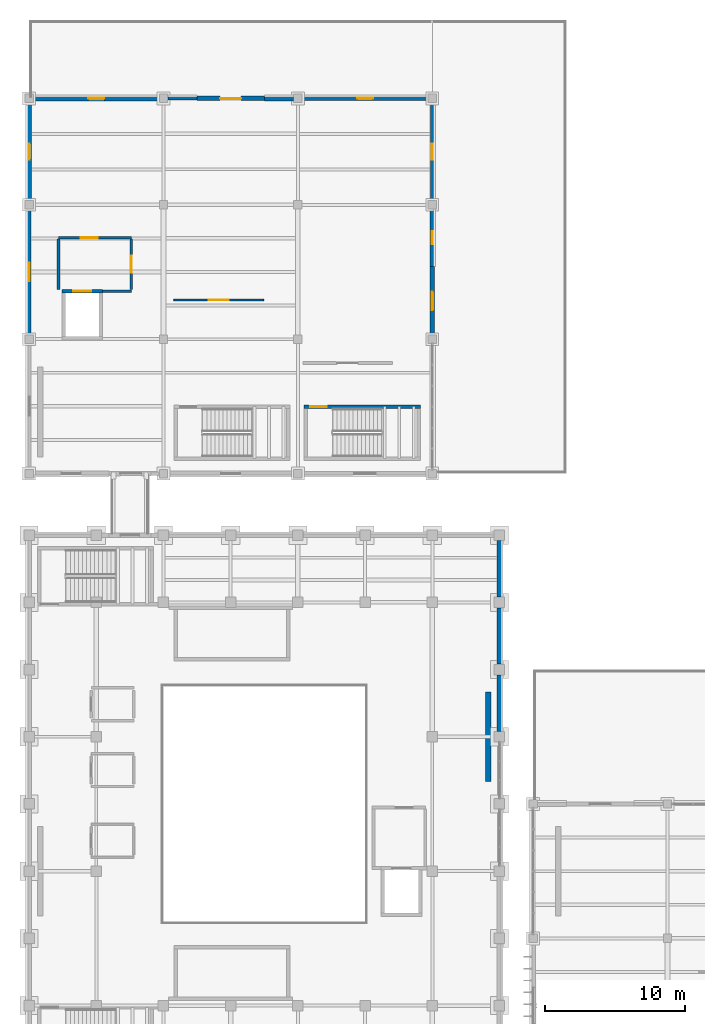
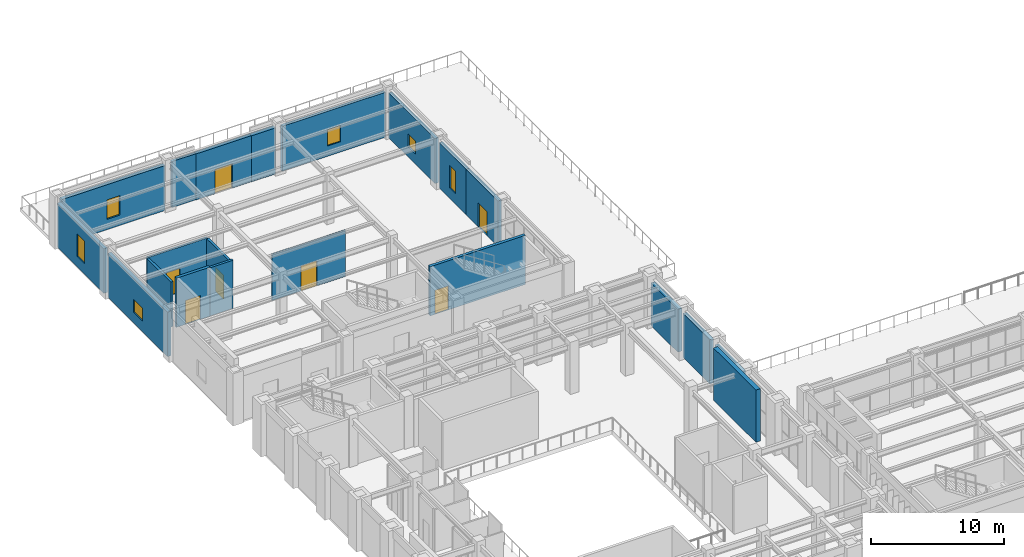
# One storey, part 61 of 83: 21 walls, 7 doors, 6 windows, 13 openings.
"""IFC4 building model written with IfcOpenShell, lengths in metres."""

from ifc_helpers import new_model, si_unit, direction, frame, frame_2d, origin, place, context, subcontext, project, spatial, rectangle, extrude, material, layer, layer_set, type_object, element, fill, save


model = new_model("IFC4")

# Units and contexts
model_context = context("Model", 3, precision=1e-05, world=origin(), true_north=direction((0.0, 1.0)))
body_context = subcontext(model_context, "Body", "Model", "MODEL_VIEW")
ifc_project = project(units=[si_unit("LENGTHUNIT", "METRE"), si_unit("AREAUNIT", "SQUARE_METRE"), si_unit("VOLUMEUNIT", "CUBIC_METRE"), si_unit("PLANEANGLEUNIT", "RADIAN"), si_unit("MASSUNIT", "GRAM", prefix="KILO")], contexts=[model_context])

# Site, building, storey
site_placement = place(None, origin())
site = spatial("IfcSite", under=ifc_project, at=site_placement, CompositionType="ELEMENT")
building_placement = place(site_placement, origin())
building = spatial("IfcBuilding", under=site, at=building_placement, Name="Mavantir Sound Aquarium", CompositionType="ELEMENT")
storey_placement = place(building_placement, frame((0.0, 0.0, 10.5)))
storey = spatial("IfcBuildingStorey", under=building, at=storey_placement, Name="L02", CompositionType="ELEMENT", Elevation=10.5)

# Wall, opening, door
ifc_material_1 = material(Name="Coral-Buff Architectural Precast Concrete C40/50", Category="concrete")
ifc_layer_1 = layer(ifc_material_1, 0.31005859375, Name="Coral-Buff Architectural Precast Concrete C40/50")
ifc_layer_set_1 = layer_set([ifc_layer_1], Name="Coral-Buff Architectural Precast Concrete C40/50")
wall_type_1 = type_object("IfcWallType", Name="EW-CORAL-310", PredefinedType="SOLIDWALL", material=ifc_layer_set_1)
wall_1_placement = place(storey_placement, frame((28.800048828125, 93.60009765625, 0.0), z_axis=(0.0, 0.0, 1.0), x_axis=(0.0, 1.0, 0.0)))
wall_1 = element("IfcWall", 1, at=wall_1_placement, inside=storey, type_object=wall_type_1, Name="L02 terrace portal wall 15", PredefinedType="SOLIDWALL", context=body_context, shape_type="SweptSolid", body=[
    extrude(rectangle(XDim=4.7998046875, YDim=0.31005859375, at=frame_2d((2.39990234375, 0.0))), origin(), (0.0, 0.0, 1.0), 4.177978515625),
])
opening_1_placement = place(wall_1_placement, frame((3.0, 0.0, 0.0), z_axis=(0.0, 0.0, 1.0), x_axis=(-1.0, 0.0, 0.0)))
opening_1 = element("IfcOpeningElement", 2, at=opening_1_placement, cuts=wall_1, Name="Opening ETD-02", PredefinedType="OPENING", context=body_context, shape_type="SweptSolid", body=[
    extrude(rectangle(XDim=1.35009765625, YDim=2.199951171875, at=frame_2d((0.675048828125, 1.10009765625))), frame((0.0, 0.1650390625, 0.0), z_axis=(0.0, -1.0, 0.0), x_axis=(1.0, 0.0, 0.0)), (0.0, 0.0, 1.0), 0.330078125),
])
ifc_material_2 = material(Name="Marine-Grade Anodised Aluminium and Laminated Glass", Category="aluminium")
door_type_1 = type_object("IfcDoorType", Name="DR-TER-135", OperationType="NOTDEFINED", PredefinedType="DOOR", material=ifc_material_2)
door_1_placement = place(opening_1_placement, origin())
door_1 = element("IfcDoor", 3, at=door_1_placement, inside=storey, type_object=door_type_1, Name="L02 terrace access door 15", OperationType="SINGLE_SWING_RIGHT", OverallHeight=2.199951171875, OverallWidth=1.35009765625, PredefinedType="DOOR", context=body_context, shape_type="SweptSolid", body=[
    extrude(rectangle(XDim=1.35009765625, YDim=2.199951171875, at=frame_2d((0.675048828125, 1.10009765625))), frame((0.0, 0.02490234375, 0.0), z_axis=(0.0, -1.0, 0.0), x_axis=(1.0, 0.0, 0.0)), (0.0, 0.0, 1.0), 0.050048828125),
])
fill(opening_1, door_1)

wall_2_placement = place(storey_placement, frame((16.800048828125, 110.39990234375, 0.0), z_axis=(0.0, 0.0, 1.0), x_axis=(-1.0, 0.0, 0.0)))
wall_2 = element("IfcWall", 4, at=wall_2_placement, inside=storey, type_object=wall_type_1, Name="L02 terrace portal wall 16", PredefinedType="SOLIDWALL", context=body_context, shape_type="SweptSolid", body=[
    extrude(rectangle(XDim=4.800048828125, YDim=0.31005859375, at=frame_2d((2.39990234375, 0.0))), origin(), (0.0, 0.0, 1.0), 4.242919921875),
])
opening_2_placement = place(wall_2_placement, frame((3.14990234375, 0.0, 0.0), z_axis=(0.0, 0.0, 1.0), x_axis=(-1.0, 0.0, 0.0)))
opening_2 = element("IfcOpeningElement", 5, at=opening_2_placement, cuts=wall_2, Name="Opening ETD-01", PredefinedType="OPENING", context=body_context, shape_type="SweptSolid", body=[
    extrude(rectangle(XDim=1.5, YDim=2.25, at=frame_2d((0.75, 1.125))), frame((0.0, 0.1650390625, 0.0), z_axis=(0.0, -1.0, 0.0), x_axis=(1.0, 0.0, 0.0)), (0.0, 0.0, 1.0), 0.330078125),
])
door_type_2 = type_object("IfcDoorType", Name="DR-TER-150", OperationType="NOTDEFINED", PredefinedType="DOOR", material=ifc_material_2)
door_2_placement = place(opening_2_placement, origin())
door_2 = element("IfcDoor", 6, at=door_2_placement, inside=storey, type_object=door_type_2, Name="L02 terrace access door 16", OperationType="SINGLE_SWING_LEFT", OverallHeight=2.25, OverallWidth=1.5, PredefinedType="DOOR", context=body_context, shape_type="SweptSolid", body=[
    extrude(rectangle(XDim=1.5, YDim=2.25, at=frame_2d((0.75, 1.125))), frame((0.0, 0.02490234375, 0.0), z_axis=(0.0, -1.0, 0.0), x_axis=(1.0, 0.0, 0.0)), (0.0, 0.0, 1.0), 0.050048828125),
])
fill(opening_2, door_2)

# Wall, opening, window
wall_3_placement = place(storey_placement, frame((28.800048828125, 98.405029296875, 0.0), z_axis=(0.0, 0.0, 1.0), x_axis=(0.0, 1.0, 0.0)))
wall_3 = element("IfcWall", 7, at=wall_3_placement, inside=storey, type_object=wall_type_1, Name="L02 exterior facade wall EW-02 278", PredefinedType="SOLIDWALL", context=body_context, shape_type="SweptSolid", body=[
    extrude(rectangle(XDim=4.0869140625, YDim=0.31005859375, at=frame_2d((2.04345703125, 0.0))), origin(), (0.0, 0.0, 1.0), 4.177978515625),
])
opening_3_placement = place(wall_3_placement, frame((1.593505859375, 0.0, 0.949951171875)))
opening_3 = element("IfcOpeningElement", 8, at=opening_3_placement, cuts=wall_3, Name="Opening W-04", PredefinedType="OPENING", context=body_context, shape_type="SweptSolid", body=[
    extrude(rectangle(XDim=0.89990234375, YDim=2.10009765625, at=frame_2d((0.449951171875, 1.050048828125))), frame((0.0, 0.1650390625, 0.0), z_axis=(0.0, -1.0, 0.0), x_axis=(1.0, 0.0, 0.0)), (0.0, 0.0, 1.0), 0.330078125),
])
ifc_material_3 = material(Name="Thermally Broken Aluminium and Low-E Glass", Category="aluminium")
window_type_1 = type_object("IfcWindowType", Name="WIN-EXT-04", PartitioningType="SINGLE_PANEL", PredefinedType="WINDOW", material=ifc_material_3)
window_1_placement = place(opening_3_placement, origin())
window_1 = element("IfcWindow", 9, at=window_1_placement, inside=storey, type_object=window_type_1, Name="L02 facade window W-04 100", OverallHeight=2.10009765625, OverallWidth=0.89990234375, PartitioningType="SINGLE_PANEL", PredefinedType="WINDOW", context=body_context, shape_type="SweptSolid", body=[
    extrude(rectangle(XDim=0.89990234375, YDim=2.10009765625, at=frame_2d((0.449951171875, 1.050048828125))), frame((0.0, 0.030029296875, 0.0), z_axis=(0.0, -1.0, 0.0), x_axis=(1.0, 0.0, 0.0)), (0.0, 0.0, 1.0), 0.06005859375),
])
fill(opening_3, window_1)

wall_4_placement = place(storey_placement, frame((0.0, 110.092041015625, 0.0), z_axis=(0.0, 0.0, 1.0), x_axis=(0.0, -1.0, 0.0)))
wall_4 = element("IfcWall", 10, at=wall_4_placement, inside=storey, type_object=wall_type_1, Name="L02 exterior facade wall EW-02 284", PredefinedType="SOLIDWALL", context=body_context, shape_type="SweptSolid", body=[
    extrude(rectangle(XDim=6.984130859375, YDim=0.31005859375, at=frame_2d((3.4921875, 0.0))), origin(), (0.0, 0.0, 1.0), 4.0830078125),
])
opening_4_placement = place(wall_4_placement, frame((2.9169921875, 0.0, 0.949951171875)))
opening_4 = element("IfcOpeningElement", 11, at=opening_4_placement, cuts=wall_4, Name="Opening W-08", PredefinedType="OPENING", context=body_context, shape_type="SweptSolid", body=[
    extrude(rectangle(XDim=1.14990234375, YDim=2.10009765625, at=frame_2d((0.574951171875, 1.050048828125))), frame((0.0, 0.1650390625, 0.0), z_axis=(0.0, -1.0, 0.0), x_axis=(1.0, 0.0, 0.0)), (0.0, 0.0, 1.0), 0.330078125),
])
window_type_2 = type_object("IfcWindowType", Name="WIN-EXT-08", PartitioningType="SINGLE_PANEL", PredefinedType="WINDOW", material=ifc_material_3)
window_2_placement = place(opening_4_placement, origin())
window_2 = element("IfcWindow", 12, at=window_2_placement, inside=storey, type_object=window_type_2, Name="L02 facade window W-08 104", OverallHeight=2.10009765625, OverallWidth=1.14990234375, PartitioningType="SINGLE_PANEL", PredefinedType="WINDOW", context=body_context, shape_type="SweptSolid", body=[
    extrude(rectangle(XDim=1.14990234375, YDim=2.10009765625, at=frame_2d((0.574951171875, 1.050048828125))), frame((0.0, 0.030029296875, 0.0), z_axis=(0.0, -1.0, 0.0), x_axis=(1.0, 0.0, 0.0)), (0.0, 0.0, 1.0), 0.06005859375),
])
fill(opening_4, window_2)

# Walls
ifc_layer_2 = layer(ifc_material_1, 0.340087890625, Name="Coral-Buff Architectural Precast Concrete C40/50")
ifc_layer_set_2 = layer_set([ifc_layer_2], Name="Coral-Buff Architectural Precast Concrete C40/50")
wall_type_2 = type_object("IfcWallType", Name="EW-CORAL-340", PredefinedType="SOLIDWALL", material=ifc_layer_set_2)
wall_5_placement = place(storey_placement, frame((33.60009765625, 65.18310546875, 0.0), z_axis=(0.0, 0.0, 1.0), x_axis=(0.0, 1.0, 0.0)))
element("IfcWall", 13, at=wall_5_placement, inside=storey, type_object=wall_type_2, Name="L02 exterior facade wall EW-01 206", PredefinedType="SOLIDWALL", context=body_context, shape_type="SweptSolid", body=[
    extrude(rectangle(XDim=4.033935546875, YDim=0.340087890625, at=frame_2d((2.01708984375, 0.0))), origin(), (0.0, 0.0, 1.0), 4.05810546875),
])
wall_6_placement = place(storey_placement, frame((33.60009765625, 69.98291015625, 0.0), z_axis=(0.0, 0.0, 1.0), x_axis=(0.0, 1.0, 0.0)))
element("IfcWall", 14, at=wall_6_placement, inside=storey, type_object=wall_type_2, Name="L02 exterior facade wall EW-01 207", PredefinedType="SOLIDWALL", context=body_context, shape_type="SweptSolid", body=[
    extrude(rectangle(XDim=4.0341796875, YDim=0.340087890625, at=frame_2d((2.01708984375, 0.0))), origin(), (0.0, 0.0, 1.0), 4.05810546875),
])
wall_7_placement = place(storey_placement, frame((33.60009765625, 74.782958984375, 0.0), z_axis=(0.0, 0.0, 1.0), x_axis=(0.0, 1.0, 0.0)))
element("IfcWall", 15, at=wall_7_placement, inside=storey, type_object=wall_type_2, Name="L02 exterior facade wall EW-01 208", PredefinedType="SOLIDWALL", context=body_context, shape_type="SweptSolid", body=[
    extrude(rectangle(XDim=4.033935546875, YDim=0.340087890625, at=frame_2d((2.01708984375, 0.0))), origin(), (0.0, 0.0, 1.0), 3.948974609375),
])

# Wall, opening, window
wall_8_placement = place(storey_placement, frame((9.2919921875, 110.39990234375, 0.0), z_axis=(0.0, 0.0, 1.0), x_axis=(-1.0, 0.0, 0.0)))
wall_8 = element("IfcWall", 16, at=wall_8_placement, inside=storey, type_object=wall_type_2, Name="L02 exterior facade wall EW-01 283", PredefinedType="SOLIDWALL", context=body_context, shape_type="SweptSolid", body=[
    extrude(rectangle(XDim=8.98388671875, YDim=0.340087890625, at=frame_2d((4.491943359375, 0.0))), origin(), (0.0, 0.0, 1.0), 4.137939453125),
])
opening_5_placement = place(wall_8_placement, frame((3.9169921875, 0.0, 0.949951171875)))
opening_5 = element("IfcOpeningElement", 17, at=opening_5_placement, cuts=wall_8, Name="Opening W-07", PredefinedType="OPENING", context=body_context, shape_type="SweptSolid", body=[
    extrude(rectangle(XDim=1.14990234375, YDim=1.800048828125, at=frame_2d((0.574951171875, 0.89990234375))), frame((0.0, 0.18017578125, 0.0), z_axis=(0.0, -1.0, 0.0), x_axis=(1.0, 0.0, 0.0)), (0.0, 0.0, 1.0), 0.360107421875),
])
window_type_3 = type_object("IfcWindowType", Name="WIN-EXT-07", PartitioningType="SINGLE_PANEL", PredefinedType="WINDOW", material=ifc_material_3)
window_3_placement = place(opening_5_placement, origin())
window_3 = element("IfcWindow", 18, at=window_3_placement, inside=storey, type_object=window_type_3, Name="L02 facade window W-07 103", OverallHeight=1.800048828125, OverallWidth=1.14990234375, PartitioningType="SINGLE_PANEL", PredefinedType="WINDOW", context=body_context, shape_type="SweptSolid", body=[
    extrude(rectangle(XDim=1.14990234375, YDim=1.800048828125, at=frame_2d((0.574951171875, 0.89990234375))), frame((0.0, 0.030029296875, 0.0), z_axis=(0.0, -1.0, 0.0), x_axis=(1.0, 0.0, 0.0)), (0.0, 0.0, 1.0), 0.06005859375),
])
fill(opening_5, window_3)

# Walls
ifc_material_4 = material(Name="Architectural Precast Concrete C40/50", Category="concrete")
ifc_layer_3 = layer(ifc_material_4, 0.239990234375, Name="Architectural Precast Concrete C40/50")
ifc_layer_set_3 = layer_set([ifc_layer_3], Name="Architectural Precast Concrete C40/50")
wall_type_3 = type_object("IfcWallType", Name="EW-PRE-240", PredefinedType="SOLIDWALL", material=ifc_layer_set_3)
wall_9_placement = place(storey_placement, frame((11.9951171875, 110.39990234375, 0.0), z_axis=(0.0, 0.0, 1.0), x_axis=(-1.0, 0.0, 0.0)))
element("IfcWall", 19, at=wall_9_placement, inside=storey, type_object=wall_type_3, Name="L02 exterior facade wall EW-06 282", PredefinedType="SOLIDWALL", context=body_context, shape_type="SweptSolid", body=[
    extrude(rectangle(XDim=2.087158203125, YDim=0.239990234375, at=frame_2d((1.04345703125, 0.0))), origin(), (0.0, 0.0, 1.0), 4.242919921875),
])
ifc_layer_4 = layer(ifc_material_1, 0.360107421875, Name="Coral-Buff Architectural Precast Concrete C40/50")
ifc_layer_set_4 = layer_set([ifc_layer_4], Name="Coral-Buff Architectural Precast Concrete C40/50")
wall_type_4 = type_object("IfcWallType", Name="EW-PRE-360", PredefinedType="SOLIDWALL", material=ifc_layer_set_4)
wall_10_placement = place(storey_placement, frame((18.89208984375, 110.39990234375, 0.0), z_axis=(0.0, 0.0, 1.0), x_axis=(-1.0, 0.0, 0.0)))
element("IfcWall", 20, at=wall_10_placement, inside=storey, type_object=wall_type_4, Name="L02 exterior facade wall EW-05 281", PredefinedType="SOLIDWALL", context=body_context, shape_type="SweptSolid", body=[
    extrude(rectangle(XDim=2.087158203125, YDim=0.360107421875, at=frame_2d((1.04345703125, 0.0))), origin(), (0.0, 0.0, 1.0), 4.242919921875),
])

# Wall, opening, window
ifc_material_5 = material(Name="Cerulean Glazed Terracotta Rainscreen on Concrete C40/50", Category="masonry")
ifc_layer_5 = layer(ifc_material_5, 0.27001953125, Name="Cerulean Glazed Terracotta Rainscreen on Concrete C40/50")
ifc_layer_set_5 = layer_set([ifc_layer_5], Name="Cerulean Glazed Terracotta Rainscreen on Concrete C40/50")
wall_type_5 = type_object("IfcWallType", Name="EW-TERRA-270", PredefinedType="SOLIDWALL", material=ifc_layer_set_5)
wall_11_placement = place(storey_placement, frame((28.491943359375, 110.39990234375, 0.0), z_axis=(0.0, 0.0, 1.0), x_axis=(-1.0, 0.0, 0.0)))
wall_11 = element("IfcWall", 21, at=wall_11_placement, inside=storey, type_object=wall_type_5, Name="L02 exterior facade wall EW-04 280", PredefinedType="SOLIDWALL", context=body_context, shape_type="SweptSolid", body=[
    extrude(rectangle(XDim=8.98388671875, YDim=0.27001953125, at=frame_2d((4.491943359375, 0.0))), origin(), (0.0, 0.0, 1.0), 4.137939453125),
])
opening_6_placement = place(wall_11_placement, frame((3.9169921875, 0.0, 0.949951171875)))
opening_6 = element("IfcOpeningElement", 22, at=opening_6_placement, cuts=wall_11, Name="Opening W-06", PredefinedType="OPENING", context=body_context, shape_type="SweptSolid", body=[
    extrude(rectangle(XDim=1.14990234375, YDim=1.5, at=frame_2d((0.574951171875, 0.75))), frame((0.0, 0.14501953125, 0.0), z_axis=(0.0, -1.0, 0.0), x_axis=(1.0, 0.0, 0.0)), (0.0, 0.0, 1.0), 0.2900390625),
])
window_type_4 = type_object("IfcWindowType", Name="WIN-EXT-06", PartitioningType="SINGLE_PANEL", PredefinedType="WINDOW", material=ifc_material_3)
window_4_placement = place(opening_6_placement, origin())
window_4 = element("IfcWindow", 23, at=window_4_placement, inside=storey, type_object=window_type_4, Name="L02 facade window W-06 102", OverallHeight=1.5, OverallWidth=1.14990234375, PartitioningType="SINGLE_PANEL", PredefinedType="WINDOW", context=body_context, shape_type="SweptSolid", body=[
    extrude(rectangle(XDim=1.14990234375, YDim=1.5, at=frame_2d((0.574951171875, 0.75))), frame((0.0, 0.030029296875, 0.0), z_axis=(0.0, -1.0, 0.0), x_axis=(1.0, 0.0, 0.0)), (0.0, 0.0, 1.0), 0.06005859375),
])
fill(opening_6, window_4)

ifc_material_6 = material(Name="Turquoise Glazed Terracotta Rainscreen on Concrete C40/50", Category="masonry")
ifc_layer_6 = layer(ifc_material_6, 0.2900390625, Name="Turquoise Glazed Terracotta Rainscreen on Concrete C40/50")
ifc_layer_set_6 = layer_set([ifc_layer_6], Name="Turquoise Glazed Terracotta Rainscreen on Concrete C40/50")
wall_type_6 = type_object("IfcWallType", Name="EW-TERRA-290", PredefinedType="SOLIDWALL", material=ifc_layer_set_6)
wall_12_placement = place(storey_placement, frame((28.800048828125, 103.10791015625, 0.0), z_axis=(0.0, 0.0, 1.0), x_axis=(0.0, 1.0, 0.0)))
wall_12 = element("IfcWall", 24, at=wall_12_placement, inside=storey, type_object=wall_type_6, Name="L02 exterior facade wall EW-03 279", PredefinedType="SOLIDWALL", context=body_context, shape_type="SweptSolid", body=[
    extrude(rectangle(XDim=6.984130859375, YDim=0.2900390625, at=frame_2d((3.4921875, 0.0))), origin(), (0.0, 0.0, 1.0), 4.135986328125),
])
opening_7_placement = place(wall_12_placement, frame((2.9169921875, 0.0, 0.949951171875)))
opening_7 = element("IfcOpeningElement", 25, at=opening_7_placement, cuts=wall_12, Name="Opening W-05", PredefinedType="OPENING", context=body_context, shape_type="SweptSolid", body=[
    extrude(rectangle(XDim=1.14990234375, YDim=1.199951171875, at=frame_2d((0.574951171875, 0.60009765625))), frame((0.0, 0.155029296875, 0.0), z_axis=(0.0, -1.0, 0.0), x_axis=(1.0, 0.0, 0.0)), (0.0, 0.0, 1.0), 0.31005859375),
])
window_type_5 = type_object("IfcWindowType", Name="WIN-EXT-05", PartitioningType="SINGLE_PANEL", PredefinedType="WINDOW", material=ifc_material_3)
window_5_placement = place(opening_7_placement, origin())
window_5 = element("IfcWindow", 26, at=window_5_placement, inside=storey, type_object=window_type_5, Name="L02 facade window W-05 101", OverallHeight=1.199951171875, OverallWidth=1.14990234375, PartitioningType="SINGLE_PANEL", PredefinedType="WINDOW", context=body_context, shape_type="SweptSolid", body=[
    extrude(rectangle(XDim=1.14990234375, YDim=1.199951171875, at=frame_2d((0.574951171875, 0.60009765625))), frame((0.0, 0.030029296875, 0.0), z_axis=(0.0, -1.0, 0.0), x_axis=(1.0, 0.0, 0.0)), (0.0, 0.0, 1.0), 0.06005859375),
])
fill(opening_7, window_5)

wall_13_placement = place(storey_placement, frame((0.0, 102.491943359375, 0.0), z_axis=(0.0, 0.0, 1.0), x_axis=(0.0, -1.0, 0.0)))
wall_13 = element("IfcWall", 27, at=wall_13_placement, inside=storey, type_object=wall_type_6, Name="L02 exterior facade wall EW-03 285", PredefinedType="SOLIDWALL", context=body_context, shape_type="SweptSolid", body=[
    extrude(rectangle(XDim=8.98388671875, YDim=0.2900390625, at=frame_2d((4.491943359375, 0.0))), origin(), (0.0, 0.0, 1.0), 4.0830078125),
])
opening_8_placement = place(wall_13_placement, frame((3.81689453125, 0.0, 0.949951171875)))
opening_8 = element("IfcOpeningElement", 28, at=opening_8_placement, cuts=wall_13, Name="Opening W-09", PredefinedType="OPENING", context=body_context, shape_type="SweptSolid", body=[
    extrude(rectangle(XDim=1.35009765625, YDim=1.199951171875, at=frame_2d((0.675048828125, 0.60009765625))), frame((0.0, 0.155029296875, 0.0), z_axis=(0.0, -1.0, 0.0), x_axis=(1.0, 0.0, 0.0)), (0.0, 0.0, 1.0), 0.31005859375),
])
window_type_6 = type_object("IfcWindowType", Name="WIN-EXT-09", PartitioningType="SINGLE_PANEL", PredefinedType="WINDOW", material=ifc_material_3)
window_6_placement = place(opening_8_placement, origin())
window_6 = element("IfcWindow", 29, at=window_6_placement, inside=storey, type_object=window_type_6, Name="L02 facade window W-09 105", OverallHeight=1.199951171875, OverallWidth=1.35009765625, PartitioningType="SINGLE_PANEL", PredefinedType="WINDOW", context=body_context, shape_type="SweptSolid", body=[
    extrude(rectangle(XDim=1.35009765625, YDim=1.199951171875, at=frame_2d((0.675048828125, 0.60009765625))), frame((0.0, 0.030029296875, 0.0), z_axis=(0.0, -1.0, 0.0), x_axis=(1.0, 0.0, 0.0)), (0.0, 0.0, 1.0), 0.06005859375),
])
fill(opening_8, window_6)

# Wall, opening, door
ifc_material_7 = material(Name="Concrete C40/50", Category="concrete")
ifc_layer_7 = layer(ifc_material_7, 0.199951171875, Name="Concrete C40/50")
ifc_layer_set_7 = layer_set([ifc_layer_7], Name="Concrete C40/50")
wall_type_7 = type_object("IfcWallType", Name="IW-FFL-200", PredefinedType="PARTITIONING", material=ifc_layer_set_7)
wall_14_placement = place(storey_placement, frame((2.10009765625, 100.449951171875, 0.0), z_axis=(0.0, 0.0, 1.0), x_axis=(1.0, 0.0, 0.0)))
wall_14 = element("IfcWall", 30, at=wall_14_placement, inside=storey, type_object=wall_type_7, Name="L02 firefighting lift lobby LC2 wall N", PredefinedType="PARTITIONING", context=body_context, shape_type="SweptSolid", body=[
    extrude(rectangle(XDim=5.199951171875, YDim=0.199951171875, at=frame_2d((2.60009765625, 0.0))), origin(), (0.0, 0.0, 1.0), 4.176025390625),
])
opening_9_placement = place(wall_14_placement, frame((1.60009765625, 0.0, 0.0)))
opening_9 = element("IfcOpeningElement", 31, at=opening_9_placement, cuts=wall_14, Name="Opening FD-01", PredefinedType="OPENING", context=body_context, shape_type="SweptSolid", body=[
    extrude(rectangle(XDim=1.199951171875, YDim=2.199951171875, at=frame_2d((0.60009765625, 1.10009765625))), frame((0.0, 0.10986328125, 0.0), z_axis=(0.0, -1.0, 0.0), x_axis=(1.0, 0.0, 0.0)), (0.0, 0.0, 1.0), 0.219970703125),
])
ifc_material_8 = material(Name="Fire-Rated Steel Lobby Door Leaf", Category="steel")
door_type_3 = type_object("IfcDoorType", Name="DR-FFL-120", OperationType="NOTDEFINED", PredefinedType="DOOR", material=ifc_material_8)
door_3_placement = place(opening_9_placement, origin())
door_3 = element("IfcDoor", 32, at=door_3_placement, inside=storey, type_object=door_type_3, Name="L02 firefighting lobby LC2 accommodation door", OperationType="SINGLE_SWING_LEFT", OverallHeight=2.199951171875, OverallWidth=1.199951171875, PredefinedType="DOOR", context=body_context, shape_type="SweptSolid", body=[
    extrude(rectangle(XDim=1.199951171875, YDim=2.199951171875, at=frame_2d((0.60009765625, 1.10009765625))), frame((0.0, 0.02490234375, 0.0), z_axis=(0.0, -1.0, 0.0), x_axis=(1.0, 0.0, 0.0)), (0.0, 0.0, 1.0), 0.050048828125),
])
fill(opening_9, door_3)

# Wall
wall_15_placement = place(storey_placement, frame((2.10009765625, 96.75, 0.0), z_axis=(0.0, 0.0, 1.0), x_axis=(0.0, 1.0, 0.0)))
element("IfcWall", 33, at=wall_15_placement, inside=storey, type_object=wall_type_7, Name="L02 firefighting lift lobby LC2 wall W", PredefinedType="PARTITIONING", context=body_context, shape_type="SweptSolid", body=[
    extrude(rectangle(XDim=3.60009765625, YDim=0.199951171875, at=frame_2d((1.800048828125, 0.0))), origin(), (0.0, 0.0, 1.0), 4.133056640625),
])

# Wall, opening, door
wall_16_placement = place(storey_placement, frame((7.300048828125, 96.75, 0.0), z_axis=(0.0, 0.0, 1.0), x_axis=(0.0, 1.0, 0.0)))
wall_16 = element("IfcWall", 34, at=wall_16_placement, inside=storey, type_object=wall_type_7, Name="L02 firefighting lift lobby LC2 wall E", PredefinedType="PARTITIONING", context=body_context, shape_type="SweptSolid", body=[
    extrude(rectangle(XDim=3.60009765625, YDim=0.199951171875, at=frame_2d((1.800048828125, 0.0))), origin(), (0.0, 0.0, 1.0), 4.133056640625),
])
opening_10_placement = place(wall_16_placement, frame((1.199951171875, 0.0, 0.0)))
opening_10 = element("IfcOpeningElement", 35, at=opening_10_placement, cuts=wall_16, Name="Opening FD-01", PredefinedType="OPENING", context=body_context, shape_type="SweptSolid", body=[
    extrude(rectangle(XDim=1.199951171875, YDim=2.199951171875, at=frame_2d((0.60009765625, 1.10009765625))), frame((0.0, 0.10986328125, 0.0), z_axis=(0.0, -1.0, 0.0), x_axis=(1.0, 0.0, 0.0)), (0.0, 0.0, 1.0), 0.219970703125),
])
door_4_placement = place(opening_10_placement, origin())
door_4 = element("IfcDoor", 36, at=door_4_placement, inside=storey, type_object=door_type_3, Name="L02 firefighting lobby LC2 stair-access door", OperationType="SINGLE_SWING_RIGHT", OverallHeight=2.199951171875, OverallWidth=1.199951171875, PredefinedType="DOOR", context=body_context, shape_type="SweptSolid", body=[
    extrude(rectangle(XDim=1.199951171875, YDim=2.199951171875, at=frame_2d((0.60009765625, 1.10009765625))), frame((0.0, 0.02490234375, 0.0), z_axis=(0.0, -1.0, 0.0), x_axis=(1.0, 0.0, 0.0)), (0.0, 0.0, 1.0), 0.050048828125),
])
fill(opening_10, door_4)

# Wall
wall_17_placement = place(storey_placement, frame((5.25, 96.625, 0.0), z_axis=(0.0, 0.0, 1.0), x_axis=(1.0, 0.0, 0.0)))
element("IfcWall", 37, at=wall_17_placement, inside=storey, type_object=wall_type_7, Name="L02 firefighting lift lobby LC2 return SE", PredefinedType="PARTITIONING", context=body_context, shape_type="SweptSolid", body=[
    extrude(rectangle(XDim=2.050048828125, YDim=0.199951171875, at=frame_2d((1.02490234375, 0.0))), origin(), (0.0, 0.0, 1.0), 4.43994140625),
])

# Wall, opening, door
ifc_material_9 = material(Name="Lightweight Partition Framing", Category="gypsum")
ifc_layer_8 = layer(ifc_material_9, 0.1201171875, Name="Lightweight Partition Framing")
ifc_layer_set_8 = layer_set([ifc_layer_8], Name="Lightweight Partition Framing")
wall_type_8 = type_object("IfcWallType", Name="IW-PART-120", PredefinedType="PARTITIONING", material=ifc_layer_set_8)
wall_18_placement = place(storey_placement, frame((10.35009765625, 96.0, 0.0), z_axis=(0.0, 0.0, 1.0), x_axis=(1.0, 0.0, 0.0)))
wall_18 = element("IfcWall", 38, at=wall_18_placement, inside=storey, type_object=wall_type_8, Name="L02 Harbour Overlook Cafe and Espresso Bar entry partition", PredefinedType="PARTITIONING", context=body_context, shape_type="SweptSolid", body=[
    extrude(rectangle(XDim=6.39990234375, YDim=0.1201171875, at=frame_2d((3.199951171875, 0.0))), origin(), (0.0, 0.0, 1.0), 4.23388671875),
])
opening_11_placement = place(wall_18_placement, frame((2.5, 0.0, 0.0)))
opening_11 = element("IfcOpeningElement", 39, at=opening_11_placement, cuts=wall_18, Name="Opening ID-12", PredefinedType="OPENING", context=body_context, shape_type="SweptSolid", body=[
    extrude(rectangle(XDim=1.39990234375, YDim=2.300048828125, at=frame_2d((0.699951171875, 1.14990234375))), frame((0.0, 0.070068359375, 0.0), z_axis=(0.0, -1.0, 0.0), x_axis=(1.0, 0.0, 0.0)), (0.0, 0.0, 1.0), 0.14013671875),
])
ifc_material_10 = material(Name="Solid-Core Marine Hardwood and Vision-Panel Door", Category="wood")
door_type_4 = type_object("IfcDoorType", Name="DR-INT-12", OperationType="NOTDEFINED", PredefinedType="DOOR", material=ifc_material_10)
door_5_placement = place(opening_11_placement, origin())
door_5 = element("IfcDoor", 40, at=door_5_placement, inside=storey, type_object=door_type_4, Name="Harbour Overlook Cafe and Espresso Bar door", OperationType="SINGLE_SWING_LEFT", OverallHeight=2.300048828125, OverallWidth=1.39990234375, PredefinedType="DOOR", context=body_context, shape_type="SweptSolid", body=[
    extrude(rectangle(XDim=1.39990234375, YDim=2.300048828125, at=frame_2d((0.699951171875, 1.14990234375))), frame((0.0, 0.02490234375, 0.0), z_axis=(0.0, -1.0, 0.0), x_axis=(1.0, 0.0, 0.0)), (0.0, 0.0, 1.0), 0.050048828125),
])
fill(opening_11, door_5)

ifc_layer_9 = layer(ifc_material_7, 0.25, Name="Concrete C40/50")
ifc_layer_set_9 = layer_set([ifc_layer_9], Name="Concrete C40/50")
wall_type_9 = type_object("IfcWallType", Name="IW-SHAFT-250", PredefinedType="SHEAR", material=ifc_layer_set_9)
wall_19_placement = place(storey_placement, frame((27.949951171875, 88.375, 0.0), z_axis=(0.0, 0.0, 1.0), x_axis=(-1.0, 0.0, 0.0)))
wall_19 = element("IfcWall", 41, at=wall_19_placement, inside=storey, type_object=wall_type_9, Name="L02 stair ST7 shaft wall N", PredefinedType="SHEAR", context=body_context, shape_type="SweptSolid", body=[
    extrude(rectangle(XDim=8.300048828125, YDim=0.25, at=frame_2d((4.14990234375, 0.0))), origin(), (0.0, 0.0, 1.0), 4.52001953125),
])
opening_12_placement = place(wall_19_placement, frame((7.849853515625, 0.0, 0.0), z_axis=(0.0, 0.0, 1.0), x_axis=(-1.0, 0.0, 0.0)))
opening_12 = element("IfcOpeningElement", 42, at=opening_12_placement, cuts=wall_19, Name="Opening SD-02", PredefinedType="OPENING", context=body_context, shape_type="SweptSolid", body=[
    extrude(rectangle(XDim=1.14990234375, YDim=2.199951171875, at=frame_2d((0.574951171875, 1.10009765625))), frame((0.0, 0.135009765625, 0.0), z_axis=(0.0, -1.0, 0.0), x_axis=(1.0, 0.0, 0.0)), (0.0, 0.0, 1.0), 0.27001953125),
])
ifc_material_11 = material(Name="Fire-Rated Steel Acoustic Door Leaf", Category="steel")
door_type_5 = type_object("IfcDoorType", Name="DR-ST-115", OperationType="NOTDEFINED", PredefinedType="DOOR", material=ifc_material_11)
door_6_placement = place(opening_12_placement, origin())
door_6 = element("IfcDoor", 43, at=door_6_placement, inside=storey, type_object=door_type_5, Name="L02 protected exit stair ST7 door", OperationType="SINGLE_SWING_LEFT", OverallHeight=2.199951171875, OverallWidth=1.14990234375, PredefinedType="DOOR", context=body_context, shape_type="SweptSolid", body=[
    extrude(rectangle(XDim=1.14990234375, YDim=2.199951171875, at=frame_2d((0.574951171875, 1.10009765625))), frame((0.0, 0.02490234375, 0.0), z_axis=(0.0, -1.0, 0.0), x_axis=(1.0, 0.0, 0.0)), (0.0, 0.0, 1.0), 0.050048828125),
])
fill(opening_12, door_6)

wall_20_placement = place(storey_placement, frame((2.35009765625, 96.625, 0.0), z_axis=(0.0, 0.0, 1.0), x_axis=(1.0, 0.0, 0.0)))
wall_20 = element("IfcWall", 44, at=wall_20_placement, inside=storey, type_object=wall_type_9, Name="L02 lift LC2 shaft wall N", PredefinedType="SHEAR", context=body_context, shape_type="SweptSolid", body=[
    extrude(rectangle(XDim=2.89990234375, YDim=0.25, at=frame_2d((1.449951171875, 0.0))), origin(), (0.0, 0.0, 1.0), 4.52001953125),
])
opening_13_placement = place(wall_20_placement, frame((0.800048828125, 0.0, 0.0)))
opening_13 = element("IfcOpeningElement", 45, at=opening_13_placement, cuts=wall_20, Name="Opening LD-01", PredefinedType="OPENING", context=body_context, shape_type="SweptSolid", body=[
    extrude(rectangle(XDim=1.300048828125, YDim=2.199951171875, at=frame_2d((0.64990234375, 1.10009765625))), frame((0.0, 0.135009765625, 0.0), z_axis=(0.0, -1.0, 0.0), x_axis=(1.0, 0.0, 0.0)), (0.0, 0.0, 1.0), 0.27001953125),
])
ifc_material_12 = material(Name="Stainless Steel 316 Sliding Lift Landing Door", Category="steel")
door_type_6 = type_object("IfcDoorType", Name="DR-LD-130", OperationType="NOTDEFINED", PredefinedType="DOOR", material=ifc_material_12)
door_7_placement = place(opening_13_placement, origin())
door_7 = element("IfcDoor", 46, at=door_7_placement, inside=storey, type_object=door_type_6, Name="Lift LC2 sliding landing door (L02)", OperationType="DOUBLE_DOOR_SLIDING", OverallHeight=2.199951171875, OverallWidth=1.300048828125, PredefinedType="DOOR", context=body_context, shape_type="SweptSolid", body=[
    extrude(rectangle(XDim=1.300048828125, YDim=2.199951171875, at=frame_2d((0.64990234375, 1.10009765625))), frame((0.0, 0.02490234375, 0.0), z_axis=(0.0, -1.0, 0.0), x_axis=(1.0, 0.0, 0.0)), (0.0, 0.0, 1.0), 0.050048828125),
])
fill(opening_13, door_7)

# Wall
ifc_layer_10 = layer(ifc_material_7, 0.3798828125, Name="Concrete C40/50")
ifc_layer_set_10 = layer_set([ifc_layer_10], Name="Concrete C40/50")
wall_type_10 = type_object("IfcWallType", Name="SW-SHR-380", PredefinedType="SHEAR", material=ifc_layer_set_10)
wall_21_placement = place(storey_placement, frame((32.800048828125, 61.60009765625, 0.0), z_axis=(0.0, 0.0, 1.0), x_axis=(0.0, 1.0, 0.0)))
element("IfcWall", 47, at=wall_21_placement, inside=storey, type_object=wall_type_10, Name="L02 special RC shear wall 11 (V1)", PredefinedType="SHEAR", context=body_context, shape_type="SweptSolid", body=[
    extrude(rectangle(XDim=6.39990234375, YDim=0.3798828125, at=frame_2d((3.199951171875, 0.0))), origin(), (0.0, 0.0, 1.0), 4.800048828125),
])

save(model, "model.ifc")
